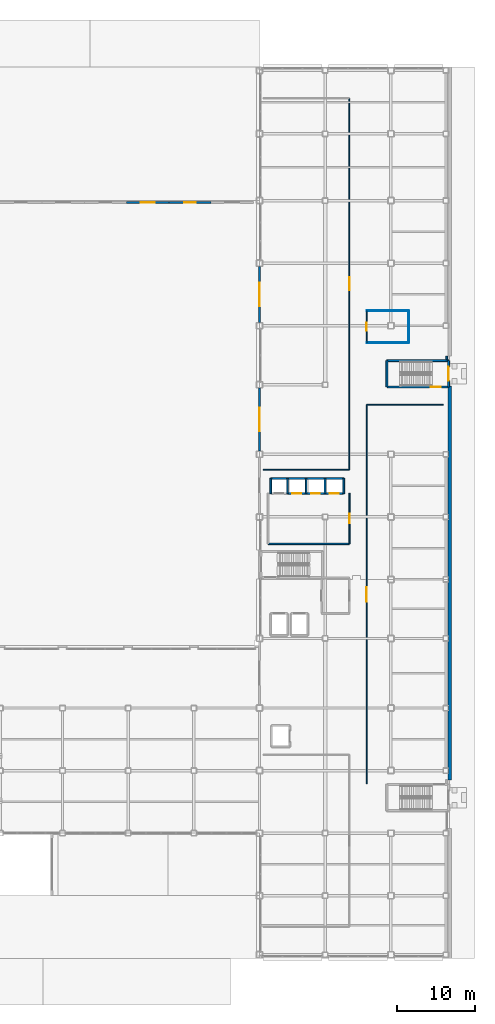
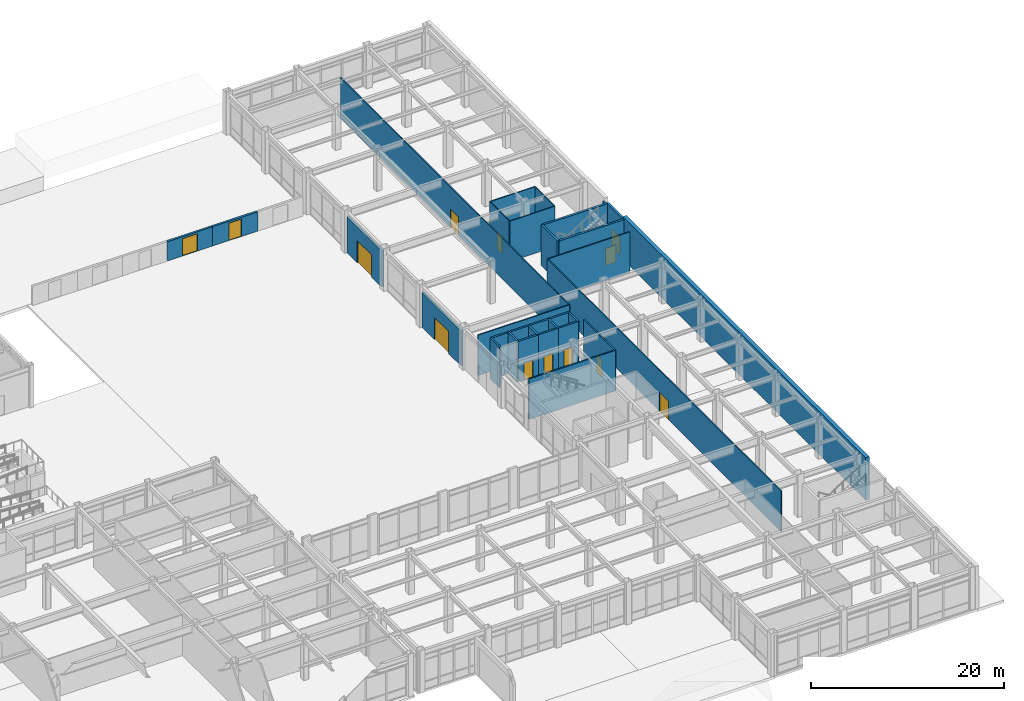
# One storey, part 135 of 165: 32 walls, 13 doors, 13 openings.
"""IFC4 building model written with IfcOpenShell, lengths in metres."""

from ifc_helpers import new_model, si_unit, direction, frame, frame_2d, origin, place, context, subcontext, project, spatial, rectangle, extrude, material, layer, layer_set, type_object, element, fill, save


model = new_model("IFC4")

# Units and contexts
model_context = context("Model", 3, precision=1e-05, world=origin(), true_north=direction((0.0, 1.0)))
body_context = subcontext(model_context, "Body", "Model", "MODEL_VIEW")
ifc_project = project(units=[si_unit("LENGTHUNIT", "METRE"), si_unit("AREAUNIT", "SQUARE_METRE"), si_unit("VOLUMEUNIT", "CUBIC_METRE"), si_unit("PLANEANGLEUNIT", "RADIAN"), si_unit("MASSUNIT", "GRAM", prefix="KILO")], contexts=[model_context])

# Site, building, storey
site_placement = place(None, origin())
site = spatial("IfcSite", under=ifc_project, at=site_placement, CompositionType="ELEMENT")
building_placement = place(site_placement, origin())
building = spatial("IfcBuilding", under=site, at=building_placement, Name="Kazehara Bluff Congress Hotel", CompositionType="ELEMENT")
storey_placement = place(building_placement, origin())
storey = spatial("IfcBuildingStorey", under=building, at=storey_placement, Name="L00", CompositionType="ELEMENT", Elevation=0.0)

# Wall, opening, door
ifc_material_1 = material(Name="Concrete C40/50", Category="concrete")
ifc_layer_1 = layer(ifc_material_1, 0.25)
ifc_layer_set_1 = layer_set([ifc_layer_1], Name="Concrete C40/50")
wall_type_1 = type_object("IfcWallType", Name="TP-CW-RC", PredefinedType="SHEAR", material=ifc_layer_set_1)
wall_1_placement = place(storey_placement, frame((167.875, 76.425048828125, 0.0), z_axis=(0.0, 0.0, 1.0), x_axis=(0.0, -1.0, 0.0)))
wall_1 = element("IfcWall", 1, at=wall_1_placement, inside=storey, type_object=wall_type_1, Name="L00 ST-12 core wall near", PredefinedType="SHEAR", context=body_context, shape_type="SweptSolid", body=[
    extrude(rectangle(XDim=3.35009765625, YDim=0.25, at=frame_2d((1.675048828125, 0.0))), origin(), (0.0, 0.0, 1.0), 5.14990234375),
])
opening_1_placement = place(wall_1_placement, frame((0.800048828125, 0.0, 0.0)))
opening_1 = element("IfcOpeningElement", 2, at=opening_1_placement, cuts=wall_1, Name="Opening ED-01", PredefinedType="OPENING", context=body_context, shape_type="SweptSolid", body=[
    extrude(rectangle(XDim=1.75, YDim=2.300048828125, at=frame_2d((0.875, 1.14990234375))), frame((0.0, 0.135009765625, 0.0), z_axis=(0.0, -1.0, 0.0), x_axis=(1.0, 0.0, 0.0)), (0.0, 0.0, 1.0), 0.27001953125),
])
ifc_material_2 = material(Name="Anodised aluminium", Category="aluminium")
door_type_1 = type_object("IfcDoorType", Name="TP-ED-01", OperationType="DOUBLE_DOOR_SINGLE_SWING", PredefinedType="DOOR", material=ifc_material_2)
door_1_placement = place(opening_1_placement, origin())
door_1 = element("IfcDoor", 3, at=door_1_placement, inside=storey, type_object=door_type_1, Name="Escape Stair ST-12 final exit discharge door", OperationType="DOUBLE_DOOR_SINGLE_SWING", OverallHeight=2.300048828125, OverallWidth=1.75, PredefinedType="DOOR", context=body_context, shape_type="SweptSolid", body=[
    extrude(rectangle(XDim=1.75, YDim=2.300048828125, at=frame_2d((0.875, 1.14990234375))), frame((0.0, 0.02490234375, 0.0), z_axis=(0.0, -1.0, 0.0), x_axis=(1.0, 0.0, 0.0)), (0.0, 0.0, 1.0), 0.050048828125),
])
fill(opening_1, door_1)

# Walls
wall_2_placement = place(storey_placement, frame((159.97509765625, 73.074951171875, 0.0), z_axis=(0.0, 0.0, 1.0), x_axis=(0.0, 1.0, 0.0)))
element("IfcWall", 4, at=wall_2_placement, inside=storey, type_object=wall_type_1, Name="L00 ST-12 core wall far", PredefinedType="SHEAR", context=body_context, shape_type="SweptSolid", body=[
    extrude(rectangle(XDim=3.35009765625, YDim=0.25, at=frame_2d((1.675048828125, 0.0))), origin(), (0.0, 0.0, 1.0), 5.14990234375),
])
wall_3_placement = place(storey_placement, frame((159.97509765625, 76.425048828125, 0.0), z_axis=(0.0, 0.0, 1.0), x_axis=(1.0, 0.0, 0.0)))
element("IfcWall", 5, at=wall_3_placement, inside=storey, type_object=wall_type_1, Name="L00 ST-12 core wall left", PredefinedType="SHEAR", context=body_context, shape_type="SweptSolid", body=[
    extrude(rectangle(XDim=7.89990234375, YDim=0.25, at=frame_2d((3.949951171875, 0.0))), origin(), (0.0, 0.0, 1.0), 5.14990234375),
])

# Wall, opening, door
wall_4_placement = place(storey_placement, frame((167.875, 73.074951171875, 0.0), z_axis=(0.0, 0.0, 1.0), x_axis=(-1.0, 0.0, 0.0)))
wall_4 = element("IfcWall", 6, at=wall_4_placement, inside=storey, type_object=wall_type_1, Name="L00 ST-12 core wall right", PredefinedType="SHEAR", context=body_context, shape_type="SweptSolid", body=[
    extrude(rectangle(XDim=7.89990234375, YDim=0.25, at=frame_2d((3.949951171875, 0.0))), origin(), (0.0, 0.0, 1.0), 5.14990234375),
])
opening_2_placement = place(wall_4_placement, frame((0.985107421875, 0.0, 0.0)))
opening_2 = element("IfcOpeningElement", 7, at=opening_2_placement, cuts=wall_4, Name="Opening FD-01", PredefinedType="OPENING", context=body_context, shape_type="SweptSolid", body=[
    extrude(rectangle(XDim=1.300048828125, YDim=2.199951171875, at=frame_2d((0.64990234375, 1.10009765625))), frame((0.0, 0.135009765625, 0.0), z_axis=(0.0, -1.0, 0.0), x_axis=(1.0, 0.0, 0.0)), (0.0, 0.0, 1.0), 0.27001953125),
])
ifc_material_3 = material(Name="Fire-rated painted steel leaf", Category="steel")
door_type_2 = type_object("IfcDoorType", Name="TP-FD-01", OperationType="NOTDEFINED", PredefinedType="DOOR", material=ifc_material_3)
door_2_placement = place(opening_2_placement, origin())
door_2 = element("IfcDoor", 8, at=door_2_placement, inside=storey, type_object=door_type_2, Name="L00 ST-12 fire stair door", OperationType="SINGLE_SWING_RIGHT", OverallHeight=2.199951171875, OverallWidth=1.300048828125, PredefinedType="DOOR", context=body_context, shape_type="SweptSolid", body=[
    extrude(rectangle(XDim=1.300048828125, YDim=2.199951171875, at=frame_2d((0.64990234375, 1.10009765625))), frame((0.0, 0.02490234375, 0.0), z_axis=(0.0, -1.0, 0.0), x_axis=(1.0, 0.0, 0.0)), (0.0, 0.0, 1.0), 0.050048828125),
])
fill(opening_2, door_2)

ifc_material_4 = material(Name="Precast concrete C40/50", Category="concrete")
ifc_layer_2 = layer(ifc_material_4, 0.239990234375)
ifc_layer_set_2 = layer_set([ifc_layer_2], Name="Precast concrete C40/50")
wall_type_2 = type_object("IfcWallType", Name="TP-EW-240", PredefinedType="SOLIDWALL", material=ifc_layer_set_2)
wall_5_placement = place(storey_placement, frame((126.699951171875, 96.64990234375, 0.0), z_axis=(0.0, 0.0, 1.0), x_axis=(1.0, 0.0, 0.0)))
wall_5 = element("IfcWall", 9, at=wall_5_placement, inside=storey, type_object=wall_type_2, Name="Courtyard garden screen wall GT4", PredefinedType="SOLIDWALL", context=body_context, shape_type="SweptSolid", body=[
    extrude(rectangle(XDim=5.400146484375, YDim=0.239990234375, at=frame_2d((2.7001953125, 0.0))), origin(), (0.0, 0.0, 1.0), 2.449951171875),
])
opening_3_placement = place(wall_5_placement, frame((1.800048828125, 0.0, 0.0)))
opening_3 = element("IfcOpeningElement", 10, at=opening_3_placement, cuts=wall_5, Name="Opening GT-02", PredefinedType="OPENING", context=body_context, shape_type="SweptSolid", body=[
    extrude(rectangle(XDim=1.800048828125, YDim=2.199951171875, at=frame_2d((0.89990234375, 1.10009765625))), frame((0.0, 0.1298828125, 0.0), z_axis=(0.0, -1.0, 0.0), x_axis=(1.0, 0.0, 0.0)), (0.0, 0.0, 1.0), 0.260009765625),
])
ifc_material_5 = material(Name="Painted galvanised steel", Category="steel")
door_type_3 = type_object("IfcDoorType", Name="TP-GT-02", OperationType="NOTDEFINED", PredefinedType="GATE", material=ifc_material_5)
door_3_placement = place(opening_3_placement, origin())
door_3 = element("IfcDoor", 11, at=door_3_placement, inside=storey, type_object=door_type_3, Name="Courtyard garden gate GT4", OperationType="SINGLE_SWING_RIGHT", OverallHeight=2.199951171875, OverallWidth=1.800048828125, PredefinedType="GATE", context=body_context, shape_type="SweptSolid", body=[
    extrude(rectangle(XDim=1.800048828125, YDim=2.199951171875, at=frame_2d((0.89990234375, 1.10009765625))), frame((0.0, 0.02490234375, 0.0), z_axis=(0.0, -1.0, 0.0), x_axis=(1.0, 0.0, 0.0)), (0.0, 0.0, 1.0), 0.050048828125),
])
fill(opening_3, door_3)

wall_6_placement = place(storey_placement, frame((132.10009765625, 96.64990234375, 0.0), z_axis=(0.0, 0.0, 1.0), x_axis=(1.0, 0.0, 0.0)))
wall_6 = element("IfcWall", 12, at=wall_6_placement, inside=storey, type_object=wall_type_2, Name="Courtyard garden screen wall GT5", PredefinedType="SOLIDWALL", context=body_context, shape_type="SweptSolid", body=[
    extrude(rectangle(XDim=5.39990234375, YDim=0.239990234375, at=frame_2d((2.699951171875, 0.0))), origin(), (0.0, 0.0, 1.0), 2.449951171875),
])
opening_4_placement = place(wall_6_placement, frame((1.949951171875, 0.0, 0.0)))
opening_4 = element("IfcOpeningElement", 13, at=opening_4_placement, cuts=wall_6, Name="Opening GT-01", PredefinedType="OPENING", context=body_context, shape_type="SweptSolid", body=[
    extrude(rectangle(XDim=1.5, YDim=2.199951171875, at=frame_2d((0.75, 1.10009765625))), frame((0.0, 0.1298828125, 0.0), z_axis=(0.0, -1.0, 0.0), x_axis=(1.0, 0.0, 0.0)), (0.0, 0.0, 1.0), 0.260009765625),
])
ifc_material_6 = material(Name="Painted galvanised steel", Category="steel")
door_type_4 = type_object("IfcDoorType", Name="TP-GT-01", OperationType="NOTDEFINED", PredefinedType="GATE", material=ifc_material_6)
door_4_placement = place(opening_4_placement, origin())
door_4 = element("IfcDoor", 14, at=door_4_placement, inside=storey, type_object=door_type_4, Name="Courtyard garden gate GT5", OperationType="SINGLE_SWING_LEFT", OverallHeight=2.199951171875, OverallWidth=1.5, PredefinedType="GATE", context=body_context, shape_type="SweptSolid", body=[
    extrude(rectangle(XDim=1.5, YDim=2.199951171875, at=frame_2d((0.75, 1.10009765625))), frame((0.0, 0.02490234375, 0.0), z_axis=(0.0, -1.0, 0.0), x_axis=(1.0, 0.0, 0.0)), (0.0, 0.0, 1.0), 0.050048828125),
])
fill(opening_4, door_4)

# Wall
wall_7_placement = place(storey_placement, frame((167.64990234375, 77.0, 0.0), z_axis=(0.0, 0.0, 1.0), x_axis=(0.0, -1.0, 0.0)))
element("IfcWall", 15, at=wall_7_placement, inside=storey, type_object=wall_type_2, Name="L00 V5 perimeter spandrel pier 548", PredefinedType="SOLIDWALL", context=body_context, shape_type="SweptSolid", body=[
    extrude(rectangle(XDim=0.43994140625, YDim=0.239990234375, at=frame_2d((0.219970703125, 0.0))), origin(), (0.0, 0.0, 1.0), 5.135009765625),
])

# Wall, opening, door
ifc_material_7 = material(Name="Precast concrete C40/50", Category="concrete")
ifc_layer_3 = layer(ifc_material_7, 0.260009765625)
ifc_layer_set_3 = layer_set([ifc_layer_3], Name="Precast concrete C40/50")
wall_type_3 = type_object("IfcWallType", Name="TP-EW-260", PredefinedType="SOLIDWALL", material=ifc_layer_set_3)
wall_8_placement = place(storey_placement, frame((143.699951171875, 64.85009765625, 0.0), z_axis=(0.0, 0.0, 1.0), x_axis=(0.0, 1.0, 0.0)))
wall_8 = element("IfcWall", 16, at=wall_8_placement, inside=storey, type_object=wall_type_3, Name="L00 exit host wall EX-V5CN", PredefinedType="SOLIDWALL", context=body_context, shape_type="SweptSolid", body=[
    extrude(rectangle(XDim=8.099853515625, YDim=0.260009765625, at=frame_2d((4.0498046875, 0.0))), origin(), (0.0, 0.0, 1.0), 4.425048828125),
])
opening_5_placement = place(wall_8_placement, frame((2.550048828125, 0.0, 0.0)))
opening_5 = element("IfcOpeningElement", 17, at=opening_5_placement, cuts=wall_8, Name="Opening ED-06", PredefinedType="OPENING", context=body_context, shape_type="SweptSolid", body=[
    extrude(rectangle(XDim=3.0, YDim=2.800048828125, at=frame_2d((1.5, 1.39990234375))), frame((0.0, 0.139892578125, 0.0), z_axis=(0.0, -1.0, 0.0), x_axis=(1.0, 0.0, 0.0)), (0.0, 0.0, 1.0), 0.280029296875),
])
ifc_material_8 = material(Name="Anodised aluminium", Category="aluminium")
door_type_5 = type_object("IfcDoorType", Name="TP-ED-06", OperationType="DOUBLE_DOOR_SINGLE_SWING", PredefinedType="DOOR", material=ifc_material_8)
door_5_placement = place(opening_5_placement, origin())
door_5 = element("IfcDoor", 18, at=door_5_placement, inside=storey, type_object=door_type_5, Name="Hotel courtyard central exit door", OperationType="DOUBLE_DOOR_SINGLE_SWING", OverallHeight=2.800048828125, OverallWidth=3.0, PredefinedType="DOOR", context=body_context, shape_type="SweptSolid", body=[
    extrude(rectangle(XDim=3.0, YDim=2.800048828125, at=frame_2d((1.5, 1.39990234375))), frame((0.0, 0.02490234375, 0.0), z_axis=(0.0, -1.0, 0.0), x_axis=(1.0, 0.0, 0.0)), (0.0, 0.0, 1.0), 0.050048828125),
])
fill(opening_5, door_5)

wall_9_placement = place(storey_placement, frame((143.699951171875, 81.300048828125, 0.0), z_axis=(0.0, 0.0, 1.0), x_axis=(0.0, 1.0, 0.0)))
wall_9 = element("IfcWall", 19, at=wall_9_placement, inside=storey, type_object=wall_type_3, Name="L00 exit host wall EX-V5NW", PredefinedType="SOLIDWALL", context=body_context, shape_type="SweptSolid", body=[
    extrude(rectangle(XDim=7.199951171875, YDim=0.260009765625, at=frame_2d((3.60009765625, 0.0))), origin(), (0.0, 0.0, 1.0), 4.574951171875),
])
opening_6_placement = place(wall_9_placement, frame((2.10009765625, 0.0, 0.0)))
opening_6 = element("IfcOpeningElement", 20, at=opening_6_placement, cuts=wall_9, Name="Opening ED-06", PredefinedType="OPENING", context=body_context, shape_type="SweptSolid", body=[
    extrude(rectangle(XDim=3.0, YDim=2.800048828125, at=frame_2d((1.5, 1.39990234375))), frame((0.0, 0.139892578125, 0.0), z_axis=(0.0, -1.0, 0.0), x_axis=(1.0, 0.0, 0.0)), (0.0, 0.0, 1.0), 0.280029296875),
])
door_6_placement = place(opening_6_placement, origin())
door_6 = element("IfcDoor", 21, at=door_6_placement, inside=storey, type_object=door_type_5, Name="Hotel courtyard north exit door", OperationType="DOUBLE_DOOR_SINGLE_SWING", OverallHeight=2.800048828125, OverallWidth=3.0, PredefinedType="DOOR", context=body_context, shape_type="SweptSolid", body=[
    extrude(rectangle(XDim=3.0, YDim=2.800048828125, at=frame_2d((1.5, 1.39990234375))), frame((0.0, 0.02490234375, 0.0), z_axis=(0.0, -1.0, 0.0), x_axis=(1.0, 0.0, 0.0)), (0.0, 0.0, 1.0), 0.050048828125),
])
fill(opening_6, door_6)

# Walls
ifc_material_9 = material(Name="Fire-rated gypsum board stud partition")
ifc_layer_4 = layer(ifc_material_9, 0.110107421875)
ifc_layer_set_4 = layer_set([ifc_layer_4], Name="Fire-rated gypsum board stud partition")
wall_type_4 = type_object("IfcWallType", Name="TP-PT-110", PredefinedType="PARTITIONING", material=ifc_layer_set_4)
for number, where, z_axis, x_axis, name in (
    (22, (157.39990234375, 78.699951171875, 0.0), (0.0, 0.0, 1.0), (1.0, 0.0, 0.0), "L00 partition PT-110 86"),
    (23, (157.39990234375, 82.800048828125, 0.0), (0.0, 0.0, 1.0), (1.0, 0.0, 0.0), "L00 partition PT-110 87"),
):
    element("IfcWall", number, at=place(storey_placement, frame(where, z_axis=z_axis, x_axis=x_axis)), inside=storey, type_object=wall_type_4, Name=name, PredefinedType="PARTITIONING", context=body_context, shape_type="SweptSolid", body=[
        extrude(rectangle(XDim=5.400146484375, YDim=0.110107421875, at=frame_2d((2.7001953125, 0.0))), origin(), (0.0, 0.0, 1.0), 5.135009765625),
    ])

# Wall, opening, door
wall_10_placement = place(storey_placement, frame((157.39990234375, 78.699951171875, 0.0), z_axis=(0.0, 0.0, 1.0), x_axis=(0.0, 1.0, 0.0)))
wall_10 = element("IfcWall", 24, at=wall_10_placement, inside=storey, type_object=wall_type_4, Name="L00 partition PT-110 132", PredefinedType="PARTITIONING", context=body_context, shape_type="SweptSolid", body=[
    extrude(rectangle(XDim=4.10009765625, YDim=0.110107421875, at=frame_2d((2.050048828125, 0.0))), origin(), (0.0, 0.0, 1.0), 5.135009765625),
])
opening_7_placement = place(wall_10_placement, frame((1.52490234375, 0.0, 0.0)))
opening_7 = element("IfcOpeningElement", 25, at=opening_7_placement, cuts=wall_10, Name="Opening ID-02", PredefinedType="OPENING", context=body_context, shape_type="SweptSolid", body=[
    extrude(rectangle(XDim=1.050048828125, YDim=2.199951171875, at=frame_2d((0.52490234375, 1.10009765625))), frame((0.0, 0.06494140625, 0.0), z_axis=(0.0, -1.0, 0.0), x_axis=(1.0, 0.0, 0.0)), (0.0, 0.0, 1.0), 0.130126953125),
])
ifc_material_10 = material(Name="Architectural oak veneer leaf")
door_type_6 = type_object("IfcDoorType", Name="TP-ID-02", OperationType="NOTDEFINED", PredefinedType="DOOR", material=ifc_material_10)
door_7_placement = place(opening_7_placement, origin())
door_7 = element("IfcDoor", 26, at=door_7_placement, inside=storey, type_object=door_type_6, Name="L00 L00 Hotel Public Accessible WC door", OperationType="SINGLE_SWING_RIGHT", OverallHeight=2.199951171875, OverallWidth=1.050048828125, PredefinedType="DOOR", context=body_context, shape_type="SweptSolid", body=[
    extrude(rectangle(XDim=1.050048828125, YDim=2.199951171875, at=frame_2d((0.52490234375, 1.10009765625))), frame((0.0, 0.02490234375, 0.0), z_axis=(0.0, -1.0, 0.0), x_axis=(1.0, 0.0, 0.0)), (0.0, 0.0, 1.0), 0.050048828125),
])
fill(opening_7, door_7)

# Walls
wall_11_placement = place(storey_placement, frame((162.800048828125, 78.699951171875, 0.0), z_axis=(0.0, 0.0, 1.0), x_axis=(0.0, 1.0, 0.0)))
element("IfcWall", 27, at=wall_11_placement, inside=storey, type_object=wall_type_4, Name="L00 partition PT-110 133", PredefinedType="PARTITIONING", context=body_context, shape_type="SweptSolid", body=[
    extrude(rectangle(XDim=4.10009765625, YDim=0.110107421875, at=frame_2d((2.050048828125, 0.0))), origin(), (0.0, 0.0, 1.0), 5.135009765625),
])
ifc_material_11 = material(Name="Fire-rated gypsum board stud partition")
ifc_layer_5 = layer(ifc_material_11, 0.1298828125)
ifc_layer_set_5 = layer_set([ifc_layer_5], Name="Fire-rated gypsum board stud partition")
wall_type_5 = type_object("IfcWallType", Name="TP-PT-130", PredefinedType="PARTITIONING", material=ifc_layer_set_5)
wall_12_placement = place(storey_placement, frame((144.199951171875, 62.5, 0.0), z_axis=(0.0, 0.0, 1.0), x_axis=(1.0, 0.0, 0.0)))
element("IfcWall", 28, at=wall_12_placement, inside=storey, type_object=wall_type_5, Name="L00 partition PT-130 84", PredefinedType="PARTITIONING", context=body_context, shape_type="SweptSolid", body=[
    extrude(rectangle(XDim=11.0, YDim=0.1298828125, at=frame_2d((5.5, 0.0))), origin(), (0.0, 0.0, 1.0), 5.135009765625),
])
wall_13_placement = place(storey_placement, frame((157.39990234375, 70.800048828125, 0.0), z_axis=(0.0, 0.0, 1.0), x_axis=(1.0, 0.0, 0.0)))
element("IfcWall", 29, at=wall_13_placement, inside=storey, type_object=wall_type_5, Name="L00 partition PT-130 85", PredefinedType="PARTITIONING", context=body_context, shape_type="SweptSolid", body=[
    extrude(rectangle(XDim=9.800048828125, YDim=0.1298828125, at=frame_2d((4.89990234375, 0.0))), origin(), (0.0, 0.0, 1.0), 5.135009765625),
])

# Wall, opening, door
wall_14_placement = place(storey_placement, frame((155.199951171875, 62.5, 0.0), z_axis=(0.0, 0.0, 1.0), x_axis=(0.0, 1.0, 0.0)))
wall_14 = element("IfcWall", 30, at=wall_14_placement, inside=storey, type_object=wall_type_5, Name="L00 partition PT-130 130", PredefinedType="PARTITIONING", context=body_context, shape_type="SweptSolid", body=[
    extrude(rectangle(XDim=47.5, YDim=0.1298828125, at=frame_2d((23.75, 0.0))), origin(), (0.0, 0.0, 1.0), 5.135009765625),
])
opening_8_placement = place(wall_14_placement, frame((22.925048828125, 0.0, 0.0)))
opening_8 = element("IfcOpeningElement", 31, at=opening_8_placement, cuts=wall_14, Name="Opening AD-04", PredefinedType="OPENING", context=body_context, shape_type="SweptSolid", body=[
    extrude(rectangle(XDim=1.64990234375, YDim=2.35009765625, at=frame_2d((0.824951171875, 1.175048828125))), frame((0.0, 0.074951171875, 0.0), z_axis=(0.0, -1.0, 0.0), x_axis=(1.0, 0.0, 0.0)), (0.0, 0.0, 1.0), 0.14990234375),
])
ifc_material_12 = material(Name="Architectural oak veneer leaf")
door_type_7 = type_object("IfcDoorType", Name="TP-AD-04", OperationType="DOUBLE_DOOR_SINGLE_SWING", PredefinedType="DOOR", material=ifc_material_12)
door_8_placement = place(opening_8_placement, origin())
door_8 = element("IfcDoor", 32, at=door_8_placement, inside=storey, type_object=door_type_7, Name="L00 Uemachi Tea and Pastry Salon door", OperationType="DOUBLE_DOOR_SINGLE_SWING", OverallHeight=2.35009765625, OverallWidth=1.64990234375, PredefinedType="DOOR", context=body_context, shape_type="SweptSolid", body=[
    extrude(rectangle(XDim=1.64990234375, YDim=2.35009765625, at=frame_2d((0.824951171875, 1.175048828125))), frame((0.0, 0.02490234375, 0.0), z_axis=(0.0, -1.0, 0.0), x_axis=(1.0, 0.0, 0.0)), (0.0, 0.0, 1.0), 0.050048828125),
])
fill(opening_8, door_8)

wall_15_placement = place(storey_placement, frame((157.39990234375, 22.300048828125, 0.0), z_axis=(0.0, 0.0, 1.0), x_axis=(0.0, 1.0, 0.0)))
wall_15 = element("IfcWall", 33, at=wall_15_placement, inside=storey, type_object=wall_type_5, Name="L00 partition PT-130 131", PredefinedType="PARTITIONING", context=body_context, shape_type="SweptSolid", body=[
    extrude(rectangle(XDim=48.5, YDim=0.1298828125, at=frame_2d((24.25, 0.0))), origin(), (0.0, 0.0, 1.0), 5.135009765625),
])
opening_9_placement = place(wall_15_placement, frame((23.324951171875, 0.0, 0.0)))
opening_9 = element("IfcOpeningElement", 34, at=opening_9_placement, cuts=wall_15, Name="Opening AD-02", PredefinedType="OPENING", context=body_context, shape_type="SweptSolid", body=[
    extrude(rectangle(XDim=1.85009765625, YDim=2.39990234375, at=frame_2d((0.925048828125, 1.199951171875))), frame((0.0, 0.074951171875, 0.0), z_axis=(0.0, -1.0, 0.0), x_axis=(1.0, 0.0, 0.0)), (0.0, 0.0, 1.0), 0.14990234375),
])
ifc_material_13 = material(Name="Architectural oak veneer leaf")
door_type_8 = type_object("IfcDoorType", Name="TP-AD-02", OperationType="DOUBLE_DOOR_SINGLE_SWING", PredefinedType="DOOR", material=ifc_material_13)
door_9_placement = place(opening_9_placement, origin())
door_9 = element("IfcDoor", 35, at=door_9_placement, inside=storey, type_object=door_type_8, Name="L00 Lower Avenue Concierge and Luggage Hall door", OperationType="DOUBLE_DOOR_SINGLE_SWING", OverallHeight=2.39990234375, OverallWidth=1.85009765625, PredefinedType="DOOR", context=body_context, shape_type="SweptSolid", body=[
    extrude(rectangle(XDim=1.85009765625, YDim=2.39990234375, at=frame_2d((0.925048828125, 1.199951171875))), frame((0.0, 0.02490234375, 0.0), z_axis=(0.0, -1.0, 0.0), x_axis=(1.0, 0.0, 0.0)), (0.0, 0.0, 1.0), 0.050048828125),
])
fill(opening_9, door_9)

# Wall
ifc_material_14 = material(Name="Fire-rated gypsum board stud partition")
ifc_layer_6 = layer(ifc_material_14, 0.169921875)
ifc_layer_set_6 = layer_set([ifc_layer_6], Name="Fire-rated gypsum board stud partition")
wall_type_6 = type_object("IfcWallType", Name="TP-PT-180", PredefinedType="PARTITIONING", material=ifc_layer_set_6)
wall_16_placement = place(storey_placement, frame((144.800048828125, 53.0, 0.0), z_axis=(0.0, 0.0, 1.0), x_axis=(1.0, 0.0, 0.0)))
element("IfcWall", 36, at=wall_16_placement, inside=storey, type_object=wall_type_6, Name="L00 partition PT-180 82", PredefinedType="PARTITIONING", context=body_context, shape_type="SweptSolid", body=[
    extrude(rectangle(XDim=10.39990234375, YDim=0.169921875, at=frame_2d((5.199951171875, 0.0))), origin(), (0.0, 0.0, 1.0), 5.135009765625),
])

# Wall, opening, door
wall_17_placement = place(storey_placement, frame((155.199951171875, 53.0, 0.0), z_axis=(0.0, 0.0, 1.0), x_axis=(0.0, 1.0, 0.0)))
wall_17 = element("IfcWall", 37, at=wall_17_placement, inside=storey, type_object=wall_type_6, Name="L00 partition PT-180 129", PredefinedType="PARTITIONING", context=body_context, shape_type="SweptSolid", body=[
    extrude(rectangle(XDim=6.449951171875, YDim=0.169921875, at=frame_2d((3.22509765625, 0.0))), origin(), (0.0, 0.0, 1.0), 5.135009765625),
])
opening_10_placement = place(wall_17_placement, frame((2.625, 0.0, 0.0)))
opening_10 = element("IfcOpeningElement", 38, at=opening_10_placement, cuts=wall_17, Name="Opening FD-02", PredefinedType="OPENING", context=body_context, shape_type="SweptSolid", body=[
    extrude(rectangle(XDim=1.199951171875, YDim=2.199951171875, at=frame_2d((0.60009765625, 1.10009765625))), frame((0.0, 0.094970703125, 0.0), z_axis=(0.0, -1.0, 0.0), x_axis=(1.0, 0.0, 0.0)), (0.0, 0.0, 1.0), 0.18994140625),
])
ifc_material_15 = material(Name="Fire-rated painted steel leaf", Category="steel")
door_type_9 = type_object("IfcDoorType", Name="TP-FD-02", OperationType="NOTDEFINED", PredefinedType="DOOR", material=ifc_material_15)
door_10_placement = place(opening_10_placement, origin())
door_10 = element("IfcDoor", 39, at=door_10_placement, inside=storey, type_object=door_type_9, Name="L00 Hotel Passenger Lift Lobby door", OperationType="SINGLE_SWING_LEFT", OverallHeight=2.199951171875, OverallWidth=1.199951171875, PredefinedType="DOOR", context=body_context, shape_type="SweptSolid", body=[
    extrude(rectangle(XDim=1.199951171875, YDim=2.199951171875, at=frame_2d((0.60009765625, 1.10009765625))), frame((0.0, 0.02490234375, 0.0), z_axis=(0.0, -1.0, 0.0), x_axis=(1.0, 0.0, 0.0)), (0.0, 0.0, 1.0), 0.050048828125),
])
fill(opening_10, door_10)

# Walls
ifc_material_16 = material(Name="Concrete C40/50", Category="concrete")
ifc_layer_7 = layer(ifc_material_16, 0.449951171875)
ifc_layer_set_7 = layer_set([ifc_layer_7], Name="Concrete C40/50")
wall_type_7 = type_object("IfcWallType", Name="TP-RW-450", PredefinedType="USERDEFINED", material=ifc_layer_set_7)
wall_18_placement = place(storey_placement, frame((168.0, 22.800048828125, 0.0), z_axis=(0.0, 0.0, 1.0), x_axis=(0.0, 1.0, 0.0)))
element("IfcWall", 40, at=wall_18_placement, inside=storey, type_object=wall_type_7, Name="Bluff street retaining wall 2", ObjectType="RETAININGWALL", PredefinedType="USERDEFINED", context=body_context, shape_type="SweptSolid", body=[
    extrude(rectangle(XDim=50.39990234375, YDim=0.449951171875, at=frame_2d((25.199951171875, 0.0))), origin(), (0.0, 0.0, 1.0), 5.39990234375),
])
ifc_material_17 = material(Name="Concrete C40/50", Category="concrete")
ifc_layer_8 = layer(ifc_material_17, 0.219970703125)
ifc_layer_set_8 = layer_set([ifc_layer_8], Name="Concrete C40/50")
wall_type_8 = type_object("IfcWallType", Name="TP-SW-RC", PredefinedType="SHEAR", material=ifc_layer_set_8)
wall_19_placement = place(storey_placement, frame((145.139892578125, 61.360107421875, 0.0), z_axis=(0.0, 0.0, 1.0), x_axis=(1.0, 0.0, 0.0)))
element("IfcWall", 41, at=wall_19_placement, inside=storey, type_object=wall_type_8, Name="L00 EL-P1 lift shaft wall +Y", PredefinedType="SHEAR", context=body_context, shape_type="SweptSolid", body=[
    extrude(rectangle(XDim=2.1201171875, YDim=0.219970703125, at=frame_2d((1.06005859375, 0.0))), origin(), (0.0, 0.0, 1.0), 5.14990234375),
])
for number, where, z_axis, x_axis, name in (
    (42, (147.260009765625, 59.43994140625, 0.0), (0.0, 0.0, 1.0), (0.0, 1.0, 0.0), "L00 EL-P1 lift shaft wall +X"),
    (43, (145.139892578125, 59.43994140625, 0.0), (0.0, 0.0, 1.0), (0.0, 1.0, 0.0), "L00 EL-P1 lift shaft wall -X"),
):
    element("IfcWall", number, at=place(storey_placement, frame(where, z_axis=z_axis, x_axis=x_axis)), inside=storey, type_object=wall_type_8, Name=name, PredefinedType="SHEAR", context=body_context, shape_type="SweptSolid", body=[
        extrude(rectangle(XDim=1.920166015625, YDim=0.219970703125, at=frame_2d((0.9599609375, 0.0))), origin(), (0.0, 0.0, 1.0), 5.14990234375),
    ])
wall_20_placement = place(storey_placement, frame((147.260009765625, 61.360107421875, 0.0), z_axis=(0.0, 0.0, 1.0), x_axis=(1.0, 0.0, 0.0)))
element("IfcWall", 44, at=wall_20_placement, inside=storey, type_object=wall_type_8, Name="L00 EL-P2 lift shaft wall +Y", PredefinedType="SHEAR", context=body_context, shape_type="SweptSolid", body=[
    extrude(rectangle(XDim=2.39990234375, YDim=0.219970703125, at=frame_2d((1.199951171875, 0.0))), origin(), (0.0, 0.0, 1.0), 5.14990234375),
])

# Wall, opening, door
wall_21_placement = place(storey_placement, frame((147.260009765625, 59.43994140625, 0.0), z_axis=(0.0, 0.0, 1.0), x_axis=(1.0, 0.0, 0.0)))
wall_21 = element("IfcWall", 45, at=wall_21_placement, inside=storey, type_object=wall_type_8, Name="L00 EL-P2 lift shaft wall -Y", PredefinedType="SHEAR", context=body_context, shape_type="SweptSolid", body=[
    extrude(rectangle(XDim=2.39990234375, YDim=0.219970703125, at=frame_2d((1.199951171875, 0.0))), origin(), (0.0, 0.0, 1.0), 5.14990234375),
])
opening_11_placement = place(wall_21_placement, frame((0.64990234375, 0.0, 0.0)))
opening_11 = element("IfcOpeningElement", 46, at=opening_11_placement, cuts=wall_21, Name="Opening LD-01", PredefinedType="OPENING", context=body_context, shape_type="SweptSolid", body=[
    extrude(rectangle(XDim=1.10009765625, YDim=2.199951171875, at=frame_2d((0.550048828125, 1.10009765625))), frame((0.0, 0.119873046875, 0.0), z_axis=(0.0, -1.0, 0.0), x_axis=(1.0, 0.0, 0.0)), (0.0, 0.0, 1.0), 0.239990234375),
])
ifc_material_18 = material(Name="Fire-rated painted steel leaf", Category="steel")
door_type_10 = type_object("IfcDoorType", Name="TP-LD-01", OperationType="SLIDING_TO_LEFT", PredefinedType="DOOR", material=ifc_material_18)
door_11_placement = place(opening_11_placement, origin())
door_11 = element("IfcDoor", 47, at=door_11_placement, inside=storey, type_object=door_type_10, Name="L00 EL-P2 elevator landing door", OperationType="SLIDING_TO_LEFT", OverallHeight=2.199951171875, OverallWidth=1.10009765625, PredefinedType="DOOR", context=body_context, shape_type="SweptSolid", body=[
    extrude(rectangle(XDim=1.10009765625, YDim=2.199951171875, at=frame_2d((0.550048828125, 1.10009765625))), frame((0.0, 0.02490234375, 0.0), z_axis=(0.0, -1.0, 0.0), x_axis=(1.0, 0.0, 0.0)), (0.0, 0.0, 1.0), 0.050048828125),
])
fill(opening_11, door_11)

# Walls
wall_22_placement = place(storey_placement, frame((149.659912109375, 59.43994140625, 0.0), z_axis=(0.0, 0.0, 1.0), x_axis=(0.0, 1.0, 0.0)))
element("IfcWall", 48, at=wall_22_placement, inside=storey, type_object=wall_type_8, Name="L00 EL-P2 lift shaft wall +X", PredefinedType="SHEAR", context=body_context, shape_type="SweptSolid", body=[
    extrude(rectangle(XDim=1.920166015625, YDim=0.219970703125, at=frame_2d((0.9599609375, 0.0))), origin(), (0.0, 0.0, 1.0), 5.14990234375),
])
wall_23_placement = place(storey_placement, frame((149.659912109375, 61.360107421875, 0.0), z_axis=(0.0, 0.0, 1.0), x_axis=(1.0, 0.0, 0.0)))
element("IfcWall", 49, at=wall_23_placement, inside=storey, type_object=wall_type_8, Name="L00 EL-P3 lift shaft wall +Y", PredefinedType="SHEAR", context=body_context, shape_type="SweptSolid", body=[
    extrude(rectangle(XDim=2.400146484375, YDim=0.219970703125, at=frame_2d((1.2001953125, 0.0))), origin(), (0.0, 0.0, 1.0), 5.14990234375),
])

# Wall, opening, door
wall_24_placement = place(storey_placement, frame((149.659912109375, 59.43994140625, 0.0), z_axis=(0.0, 0.0, 1.0), x_axis=(1.0, 0.0, 0.0)))
wall_24 = element("IfcWall", 50, at=wall_24_placement, inside=storey, type_object=wall_type_8, Name="L00 EL-P3 lift shaft wall -Y", PredefinedType="SHEAR", context=body_context, shape_type="SweptSolid", body=[
    extrude(rectangle(XDim=2.400146484375, YDim=0.219970703125, at=frame_2d((1.2001953125, 0.0))), origin(), (0.0, 0.0, 1.0), 5.14990234375),
])
opening_12_placement = place(wall_24_placement, frame((0.64990234375, 0.0, 0.0)))
opening_12 = element("IfcOpeningElement", 51, at=opening_12_placement, cuts=wall_24, Name="Opening LD-01", PredefinedType="OPENING", context=body_context, shape_type="SweptSolid", body=[
    extrude(rectangle(XDim=1.10009765625, YDim=2.199951171875, at=frame_2d((0.550048828125, 1.10009765625))), frame((0.0, 0.119873046875, 0.0), z_axis=(0.0, -1.0, 0.0), x_axis=(1.0, 0.0, 0.0)), (0.0, 0.0, 1.0), 0.239990234375),
])
door_12_placement = place(opening_12_placement, origin())
door_12 = element("IfcDoor", 52, at=door_12_placement, inside=storey, type_object=door_type_10, Name="L00 EL-P3 elevator landing door", OperationType="SLIDING_TO_LEFT", OverallHeight=2.199951171875, OverallWidth=1.10009765625, PredefinedType="DOOR", context=body_context, shape_type="SweptSolid", body=[
    extrude(rectangle(XDim=1.10009765625, YDim=2.199951171875, at=frame_2d((0.550048828125, 1.10009765625))), frame((0.0, 0.02490234375, 0.0), z_axis=(0.0, -1.0, 0.0), x_axis=(1.0, 0.0, 0.0)), (0.0, 0.0, 1.0), 0.050048828125),
])
fill(opening_12, door_12)

# Walls
wall_25_placement = place(storey_placement, frame((152.06005859375, 59.43994140625, 0.0), z_axis=(0.0, 0.0, 1.0), x_axis=(0.0, 1.0, 0.0)))
element("IfcWall", 53, at=wall_25_placement, inside=storey, type_object=wall_type_8, Name="L00 EL-P3 lift shaft wall +X", PredefinedType="SHEAR", context=body_context, shape_type="SweptSolid", body=[
    extrude(rectangle(XDim=1.920166015625, YDim=0.219970703125, at=frame_2d((0.9599609375, 0.0))), origin(), (0.0, 0.0, 1.0), 5.14990234375),
])
wall_26_placement = place(storey_placement, frame((152.06005859375, 61.360107421875, 0.0), z_axis=(0.0, 0.0, 1.0), x_axis=(1.0, 0.0, 0.0)))
element("IfcWall", 54, at=wall_26_placement, inside=storey, type_object=wall_type_8, Name="L00 EL-P4 lift shaft wall +Y", PredefinedType="SHEAR", context=body_context, shape_type="SweptSolid", body=[
    extrude(rectangle(XDim=2.39990234375, YDim=0.219970703125, at=frame_2d((1.199951171875, 0.0))), origin(), (0.0, 0.0, 1.0), 5.14990234375),
])

# Wall, opening, door
wall_27_placement = place(storey_placement, frame((152.06005859375, 59.43994140625, 0.0), z_axis=(0.0, 0.0, 1.0), x_axis=(1.0, 0.0, 0.0)))
wall_27 = element("IfcWall", 55, at=wall_27_placement, inside=storey, type_object=wall_type_8, Name="L00 EL-P4 lift shaft wall -Y", PredefinedType="SHEAR", context=body_context, shape_type="SweptSolid", body=[
    extrude(rectangle(XDim=2.39990234375, YDim=0.219970703125, at=frame_2d((1.199951171875, 0.0))), origin(), (0.0, 0.0, 1.0), 5.14990234375),
])
opening_13_placement = place(wall_27_placement, frame((0.64990234375, 0.0, 0.0)))
opening_13 = element("IfcOpeningElement", 56, at=opening_13_placement, cuts=wall_27, Name="Opening LD-01", PredefinedType="OPENING", context=body_context, shape_type="SweptSolid", body=[
    extrude(rectangle(XDim=1.10009765625, YDim=2.199951171875, at=frame_2d((0.550048828125, 1.10009765625))), frame((0.0, 0.119873046875, 0.0), z_axis=(0.0, -1.0, 0.0), x_axis=(1.0, 0.0, 0.0)), (0.0, 0.0, 1.0), 0.239990234375),
])
door_13_placement = place(opening_13_placement, origin())
door_13 = element("IfcDoor", 57, at=door_13_placement, inside=storey, type_object=door_type_10, Name="L00 EL-P4 elevator landing door", OperationType="SLIDING_TO_LEFT", OverallHeight=2.199951171875, OverallWidth=1.10009765625, PredefinedType="DOOR", context=body_context, shape_type="SweptSolid", body=[
    extrude(rectangle(XDim=1.10009765625, YDim=2.199951171875, at=frame_2d((0.550048828125, 1.10009765625))), frame((0.0, 0.02490234375, 0.0), z_axis=(0.0, -1.0, 0.0), x_axis=(1.0, 0.0, 0.0)), (0.0, 0.0, 1.0), 0.050048828125),
])
fill(opening_13, door_13)

# Wall
wall_28_placement = place(storey_placement, frame((154.4599609375, 59.43994140625, 0.0), z_axis=(0.0, 0.0, 1.0), x_axis=(0.0, 1.0, 0.0)))
element("IfcWall", 58, at=wall_28_placement, inside=storey, type_object=wall_type_8, Name="L00 EL-P4 lift shaft wall +X", PredefinedType="SHEAR", context=body_context, shape_type="SweptSolid", body=[
    extrude(rectangle(XDim=1.920166015625, YDim=0.219970703125, at=frame_2d((0.9599609375, 0.0))), origin(), (0.0, 0.0, 1.0), 5.14990234375),
])

save(model, "model.ifc")
